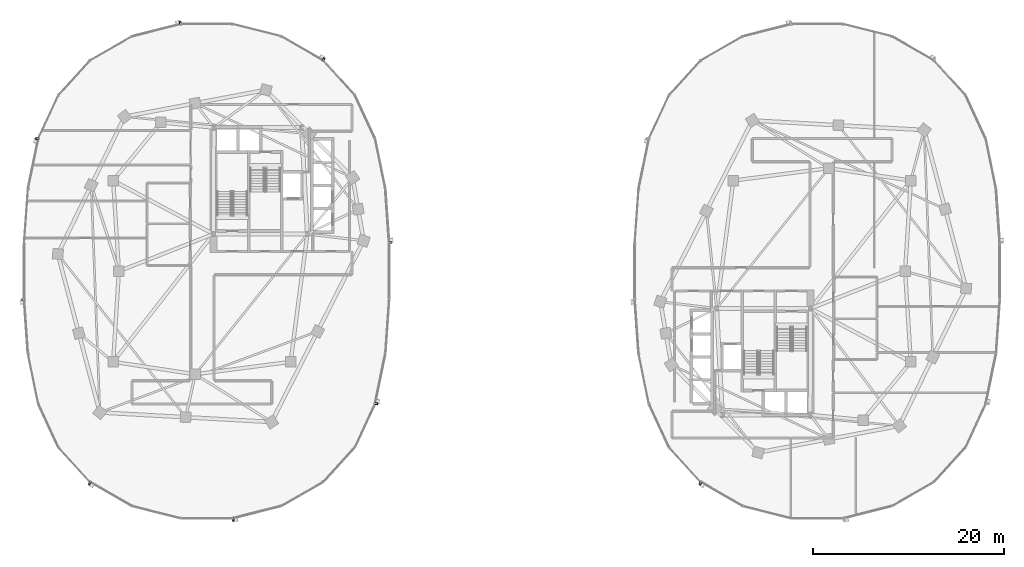
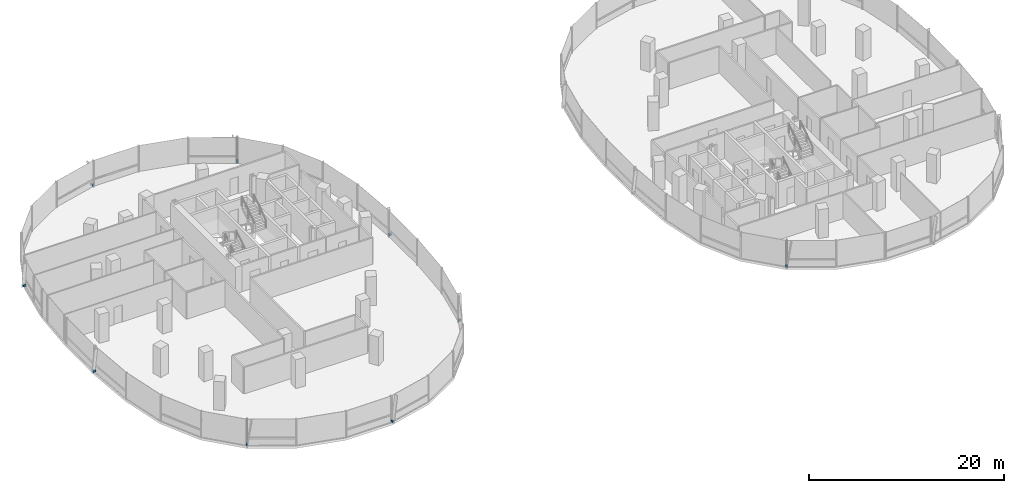
# One storey, part 15 of 21: 9 discrete accessories.
"""IFC4 building model written with IfcOpenShell, lengths in metres."""

from ifc_helpers import new_model, si_unit, direction, frame, origin, origin_2d, place, context, subcontext, project, spatial, rectangle, extrude, material, type_object, element, save


model = new_model("IFC4")

# Units and contexts
model_context = context("Model", 3, precision=1e-05, world=origin(), true_north=direction((0.0, 1.0)))
body_context = subcontext(model_context, "Body", "Model", "MODEL_VIEW")
ifc_project = project(units=[si_unit("LENGTHUNIT", "METRE"), si_unit("AREAUNIT", "SQUARE_METRE"), si_unit("VOLUMEUNIT", "CUBIC_METRE"), si_unit("PLANEANGLEUNIT", "RADIAN"), si_unit("MASSUNIT", "GRAM", prefix="KILO"), si_unit("THERMODYNAMICTEMPERATUREUNIT", "KELVIN"), si_unit("POWERUNIT", "WATT")], contexts=[model_context])

# Site, building, storey
site_placement = place(None, origin())
site = spatial("IfcSite", under=ifc_project, at=site_placement, CompositionType="ELEMENT")
building_placement = place(site_placement, origin())
building = spatial("IfcBuilding", under=site, at=building_placement, Name="Cundina Bronze Exchange", CompositionType="ELEMENT")
storey_placement = place(building_placement, frame((0.0, 0.0, 85.39990234375)))
storey = spatial("IfcBuildingStorey", under=building, at=storey_placement, Name="L21", CompositionType="ELEMENT", Elevation=85.39990234375)

# Discrete accessories
ifc_material = material(Name="Anodised Bronze Aluminium 6063-T6", Category="aluminium")
discrete_accessory_type = type_object("IfcDiscreteAccessoryType", Name="ACC-BRK-FIN", PredefinedType="BRACKET", material=ifc_material)
for number, where, z_axis, x_axis, name in (
    (1, (-12.735595703125, 2.986083984375, 0.10009765625), (0.0, 0.0, 1.0), (-0.070278787473, 0.997527389113, 0.0), "L21 Fin Support Bracket 1"),
    (2, (-19.740478515625, 22.21875, 0.10009765625), (0.0, 0.0, 1.0), (-0.867105478933, 0.498124571171, 0.0), "L21 Fin Support Bracket 5"),
    (3, (-34.76025390625, 26.03173828125, 0.10009765625), (0.0, 0.0, 1.0), (-0.969488149345, -0.245138182011, 0.0), "L21 Fin Support Bracket 1"),
    (4, (-49.788330078125, 13.8896484375, 0.10009765625), (0.0, 0.0, 1.0), (-0.201419845156, -0.979505000486, 0.0), "L21 Fin Support Bracket 5"),
    (5, (-51.264404296875, -2.986083984375, 0.10009765625), (0.0, 0.0, 1.0), (0.070278787473, -0.997527389113, 0.0), "L21 Fin Support Bracket 1"),
    (6, (-44.259521484375, -22.21875, 0.10009765625), (0.0, 0.0, 1.0), (0.867105478933, -0.498124571171, 0.0), "L21 Fin Support Bracket 5"),
    (7, (-29.23974609375, -26.03173828125, 0.10009765625), (0.0, 0.0, 1.0), (0.969488149345, 0.245138182011, 0.0), "L21 Fin Support Bracket 1"),
    (8, (-14.211669921875, -13.8896484375, 0.10009765625), (0.0, 0.0, 1.0), (0.201419845156, 0.979505000486, 0.0), "L21 Fin Support Bracket 5"),
    (9, (19.740478515625, -22.21875, 0.10009765625), (0.0, 0.0, 1.0), (0.867105478933, -0.498124571171, 0.0), "L21 Fin Support Bracket 5"),
):
    element("IfcDiscreteAccessory", number, at=place(storey_placement, frame(where, z_axis=z_axis, x_axis=x_axis)), inside=storey, type_object=discrete_accessory_type, Name=name, PredefinedType="BRACKET", context=body_context, shape_type="SweptSolid", body=[
        extrude(rectangle(XDim=0.219970703125, YDim=0.320068359375, at=origin_2d()), origin(), (0.0, 0.0, 1.0), 0.239990234375),
    ])

save(model, "model.ifc")
